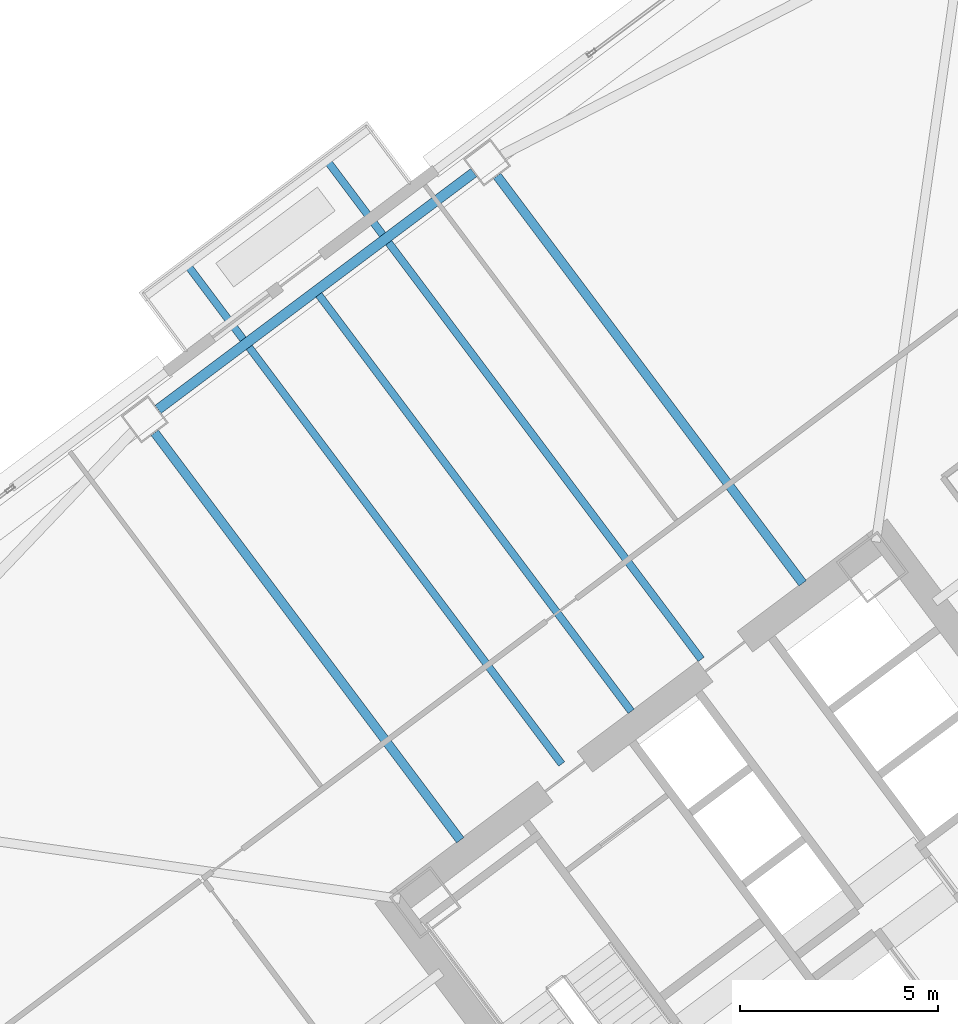
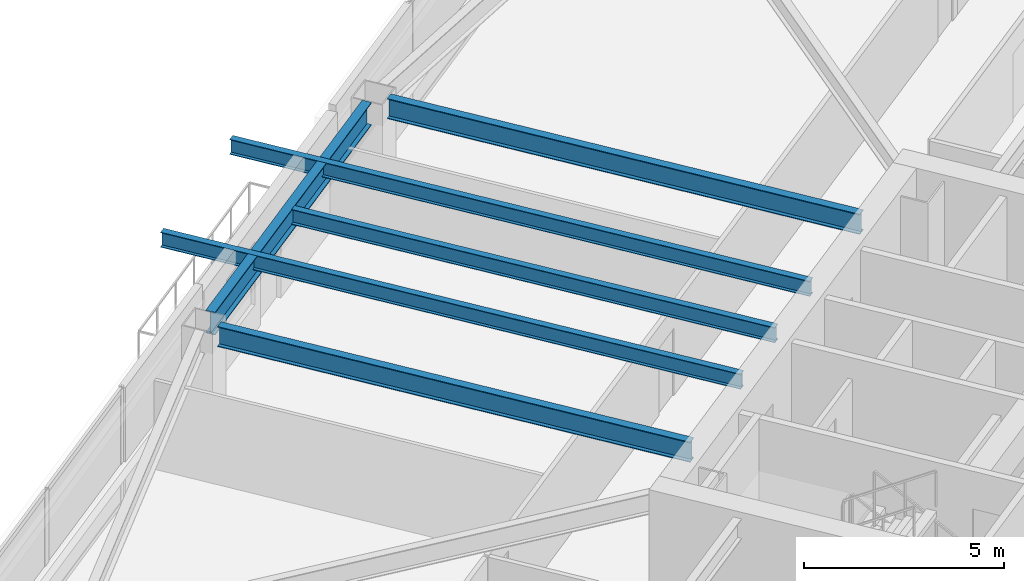
# One storey, part 26 of 45: 6 beams.
"""IFC4 building model written with IfcOpenShell, lengths in metres."""

from ifc_helpers import new_model, si_unit, direction, frame, origin, origin_2d, place, context, subcontext, project, spatial, i_section, extrude, material, material_profile, profile_set, type_object, element, save


model = new_model("IFC4")

# Units and contexts
model_context = context("Model", 3, precision=1e-05, world=origin(), true_north=direction((0.0, 1.0)))
body_context = subcontext(model_context, "Body", "Model", "MODEL_VIEW")
ifc_project = project(units=[si_unit("LENGTHUNIT", "METRE"), si_unit("AREAUNIT", "SQUARE_METRE"), si_unit("VOLUMEUNIT", "CUBIC_METRE"), si_unit("PLANEANGLEUNIT", "RADIAN"), si_unit("MASSUNIT", "GRAM", prefix="KILO")], contexts=[model_context])

# Site, building, storey
site_placement = place(None, origin())
site = spatial("IfcSite", under=ifc_project, at=site_placement, CompositionType="ELEMENT")
building_placement = place(site_placement, origin())
building = spatial("IfcBuilding", under=site, at=building_placement, Name="Tashvorn Skyway Center", CompositionType="ELEMENT")
storey_placement = place(building_placement, frame((0.0, 0.0, 35.25)))
storey = spatial("IfcBuildingStorey", under=building, at=storey_placement, Name="L08", CompositionType="ELEMENT", Elevation=35.25)

# Beams
ifc_material = material(Name="Steel ASTM A992 Grade 50", Category="steel")
ifc_material_profile_1 = material_profile(ifc_material, i_section(OverallWidth=0.22998046875, OverallDepth=0.616943359375, WebThickness=0.01318359375, FlangeThickness=0.022216796875, at=origin_2d()), Name="W24X94")
ifc_profile_set_1 = profile_set([ifc_material_profile_1], Name="Steel ASTM A992 Grade 50")
beam_type_1 = type_object("IfcBeamType", Name="BM-BEAM-W24X94", PredefinedType="BEAM", material=ifc_profile_set_1)
beam_1_placement = place(storey_placement, frame((105.94189453125, 51.743896484375, 3.04150390625), z_axis=(0.600018239213, -0.799986320265, 0.0), x_axis=(0.799986320265, 0.600018239213, 0.0)))
element("IfcBeam", 1, at=beam_1_placement, inside=storey, type_object=beam_type_1, Name="Tower 2 L08 Primary Floor Girder FC-N1", PredefinedType="BEAM", context=body_context, shape_type="SweptSolid", body=[
    extrude(i_section(OverallWidth=0.22998046875, OverallDepth=0.616943359375, WebThickness=0.01318359375, FlangeThickness=0.022216796875, at=origin_2d()), origin(), (0.0, 0.0, 1.0), 12.849853515625),
])
beam_2_placement = place(storey_placement, frame((97.302001953125, 45.263916015625, 3.04150390625), z_axis=(0.599996960112, -0.800002279907, 0.0), x_axis=(0.800002279907, 0.599996960112, 0.0)))
element("IfcBeam", 2, at=beam_2_placement, inside=storey, type_object=beam_type_1, Name="Tower 2 L08 Primary Floor Girder FC-N2", PredefinedType="BEAM", context=body_context, shape_type="SweptSolid", body=[
    extrude(i_section(OverallWidth=0.22998046875, OverallDepth=0.616943359375, WebThickness=0.01318359375, FlangeThickness=0.022216796875, at=origin_2d()), origin(), (0.0, 0.0, 1.0), 12.85009765625),
])
ifc_material_profile_2 = material_profile(ifc_material, i_section(OverallWidth=0.19091796875, OverallDepth=0.4599609375, WebThickness=0.010009765625, FlangeThickness=0.01611328125, at=origin_2d()), Name="W18X55")
ifc_profile_set_2 = profile_set([ifc_material_profile_2], Name="Steel ASTM A992 Grade 50")
beam_type_2 = type_object("IfcBeamType", Name="BM-JOIST-W18X55", PredefinedType="JOIST", material=ifc_profile_set_2)
beam_3_placement = place(storey_placement, frame((109.325927734375, 38.23193359375, 3.1201171875), z_axis=(-0.600002972791, 0.799997770398, 0.0), x_axis=(-0.799997770398, -0.600002972791, 0.0)))
element("IfcBeam", 3, at=beam_3_placement, inside=storey, type_object=beam_type_2, Name="Tower 2 L08 Secondary Composite Joist JN", PredefinedType="JOIST", context=body_context, shape_type="SweptSolid", body=[
    extrude(i_section(OverallWidth=0.19091796875, OverallDepth=0.4599609375, WebThickness=0.010009765625, FlangeThickness=0.01611328125, at=origin_2d()), origin(), (0.0, 0.0, 1.0), 13.139892578125),
])
for number, where, z_axis, x_axis, name in (
    (4, (107.572021484375, 36.904052734375, 3.1201171875), (-0.599997522972, 0.800001857765, 0.0), (-0.800001857765, -0.599997522972, 0.0), "Tower 2 L09 Terrace Cantilever Outlooker 1"),
    (5, (111.092041015625, 39.5439453125, 3.1201171875), (-0.600007430982, 0.79999442671, 0.0), (-0.79999442671, -0.600007430982, 0.0), "Tower 2 L09 Terrace Cantilever Outlooker 2"),
):
    element("IfcBeam", number, at=place(storey_placement, frame(where, z_axis=z_axis, x_axis=x_axis)), inside=storey, type_object=beam_type_2, Name=name, PredefinedType="JOIST", context=body_context, shape_type="SweptSolid", body=[
        extrude(i_section(OverallWidth=0.19091796875, OverallDepth=0.4599609375, WebThickness=0.010009765625, FlangeThickness=0.01611328125, at=origin_2d()), origin(), (0.0, 0.0, 1.0), 15.77001953125),
    ])
ifc_material_profile_3 = material_profile(ifc_material, i_section(OverallWidth=0.256103515625, OverallDepth=0.693115234375, WebThickness=0.014404296875, FlangeThickness=0.023681640625, at=origin_2d()), Name="W27X114")
ifc_profile_set_3 = profile_set([ifc_material_profile_3], Name="Steel ASTM A992 Grade 50")
beam_type_3 = type_object("IfcBeamType", Name="BM-SPANDREL-W27X114", PredefinedType="SPANDREL", material=ifc_profile_set_3)
beam_4_placement = place(storey_placement, frame((105.35400390625, 51.827880859375, 3.00341796875), z_axis=(-0.800008824351, -0.599988234018, 0.0), x_axis=(0.599988234018, -0.800008824351, 0.0)))
element("IfcBeam", 6, at=beam_4_placement, inside=storey, type_object=beam_type_3, Name="Tower 2 L08 Spandrel Beam 08", PredefinedType="SPANDREL", context=body_context, shape_type="SweptSolid", body=[
    extrude(i_section(OverallWidth=0.256103515625, OverallDepth=0.693115234375, WebThickness=0.014404296875, FlangeThickness=0.023681640625, at=origin_2d()), origin(), (0.0, 0.0, 1.0), 9.9599609375),
])

save(model, "model.ifc")
